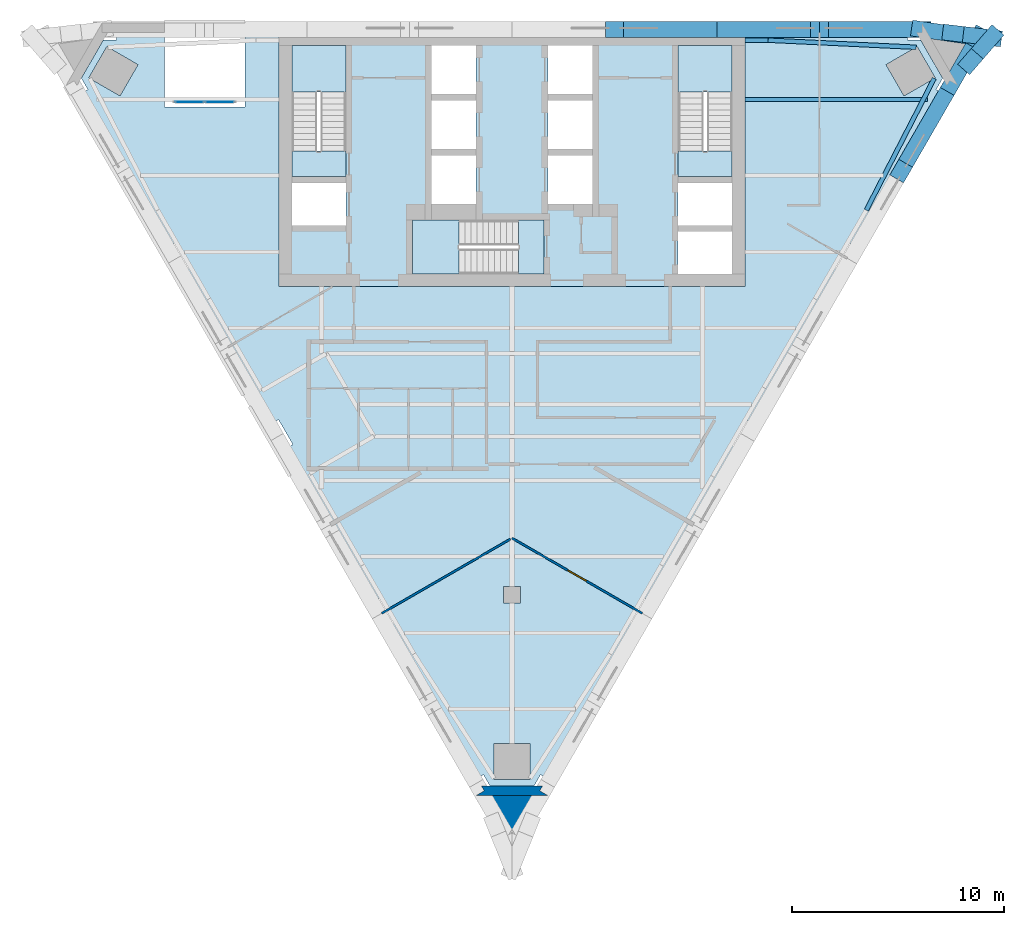
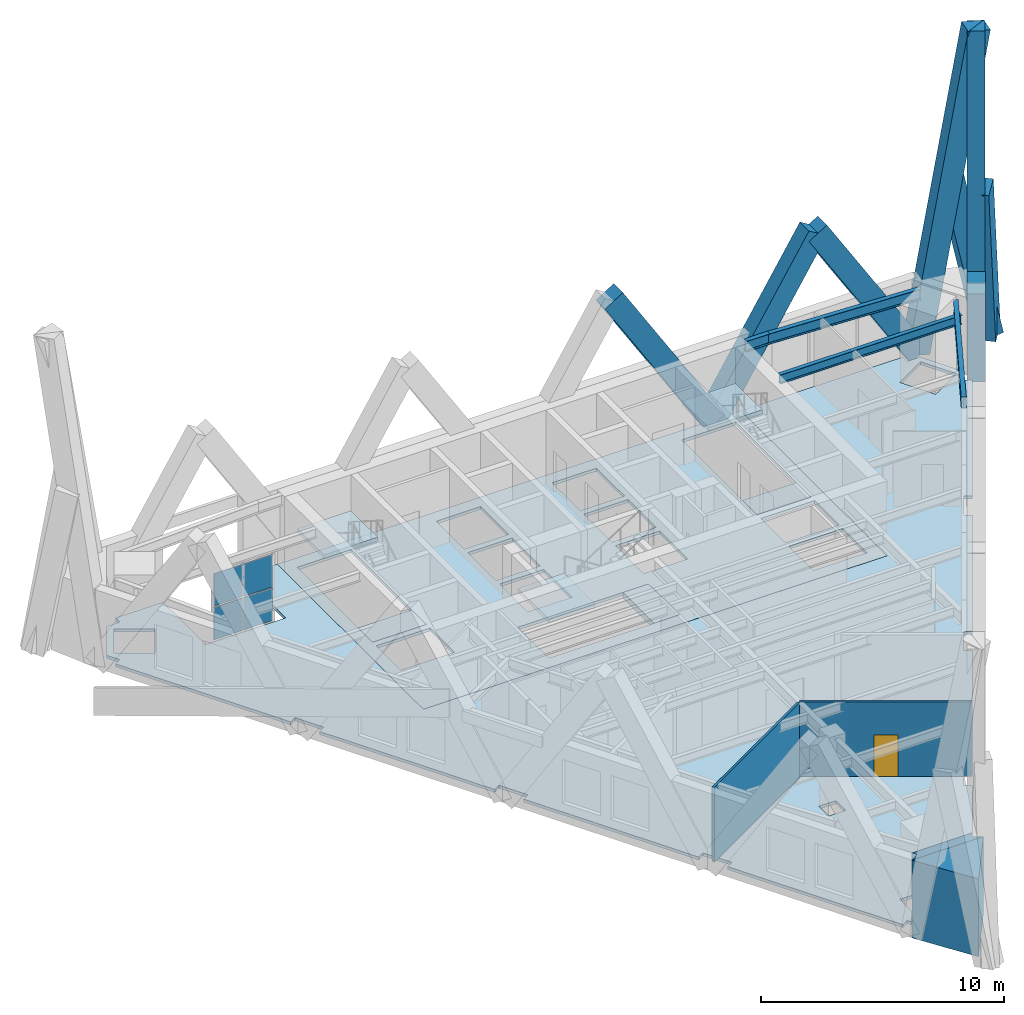
# One storey, part 3 of 9: 8 members, 8 slabs, 4 beams, 4 plates, 4 walls, 1 door, 1 opening, 4 elements without a shape of their own.
"""IFC4 building model written with IfcOpenShell, lengths in metres."""

from ifc_helpers import new_model, si_unit, direction, frame, frame_2d, origin, origin_2d, place, context, subcontext, project, spatial, polyline, rectangle, i_section, outline, extrude, material, layer, layer_set, material_profile, profile_set, type_object, element, fill, aggregate, save


model = new_model("IFC4")

# Units and contexts
model_context = context("Model", 3, precision=1e-05, world=origin(), true_north=direction((0.0, 1.0)))
body_context = subcontext(model_context, "Body", "Model", "MODEL_VIEW")
ifc_project = project(units=[si_unit("LENGTHUNIT", "METRE"), si_unit("AREAUNIT", "SQUARE_METRE"), si_unit("VOLUMEUNIT", "CUBIC_METRE"), si_unit("PLANEANGLEUNIT", "RADIAN"), si_unit("MASSUNIT", "GRAM", prefix="KILO")], contexts=[model_context])

# Site, building, storey
site_placement = place(None, origin())
site = spatial("IfcSite", under=ifc_project, at=site_placement, CompositionType="ELEMENT")
building_placement = place(site_placement, origin())
building = spatial("IfcBuilding", under=site, at=building_placement, Name="Aloe Facet Convention Tower", CompositionType="ELEMENT")
storey_placement = place(building_placement, frame((0.0, 0.0, 195.800048828125)))
storey = spatial("IfcBuildingStorey", under=building, at=storey_placement, Name="L49", CompositionType="ELEMENT", Elevation=195.800048828125)

# Beams
ifc_material_1 = material(Name="Steel S355", Category="steel")
ifc_material_profile_1 = material_profile(ifc_material_1, i_section(OverallWidth=0.19140625, OverallDepth=0.4599609375, WebThickness=0.010009765625, FlangeThickness=0.01611328125, FilletRadius=0.01025390625, at=origin_2d()), Name="UB 457x191x82")
ifc_profile_set_1 = profile_set([ifc_material_profile_1], Name="Steel S355")
beam_type_1 = type_object("IfcBeamType", Name="SF-B-UB457x191x82", PredefinedType="BEAM", material=ifc_profile_set_1)
beam_1_placement = place(storey_placement, frame((91.0, 131.39990234375, 3.52001953125), z_axis=(1.0, 0.0, 0.0), x_axis=(0.0, 1.0, 0.0)))
element("IfcBeam", 1, at=beam_1_placement, inside=storey, type_object=beam_type_1, Name="Floor beam FB-Z4E-048", PredefinedType="BEAM", context=body_context, shape_type="SweptSolid", body=[
    extrude(i_section(OverallWidth=0.19140625, OverallDepth=0.4599609375, WebThickness=0.010009765625, FlangeThickness=0.01611328125, FilletRadius=0.01025390625, at=origin_2d()), origin(), (0.0, 0.0, 1.0), 8.626220703125),
])
ifc_material_2 = material(Name="Steel S355", Category="steel")
ifc_material_profile_2 = material_profile(ifc_material_2, i_section(OverallWidth=0.209228515625, OverallDepth=0.533203125, WebThickness=0.010009765625, FlangeThickness=0.015625, FilletRadius=0.0126953125, at=origin_2d()), Name="UB 533x210x92")
ifc_profile_set_2 = profile_set([ifc_material_profile_2], Name="Steel S355")
beam_type_2 = type_object("IfcBeamType", Name="SF-B-UB533x210x92", PredefinedType="BEAM", material=ifc_profile_set_2)
beam_2_placement = place(storey_placement, frame((91.0, 134.1953125, 3.4833984375), z_axis=(1.0, 0.0, 0.0), x_axis=(0.0, 1.0, 0.0)))
element("IfcBeam", 2, at=beam_2_placement, inside=storey, type_object=beam_type_2, Name="Floor beam FB-Z4E-015", PredefinedType="BEAM", context=body_context, shape_type="SweptSolid", body=[
    extrude(i_section(OverallWidth=0.209228515625, OverallDepth=0.533203125, WebThickness=0.010009765625, FlangeThickness=0.015625, FilletRadius=0.0126953125, at=origin_2d()), origin(), (0.0, 0.0, 1.0), 1.102783203125),
])
for number, where, z_axis, x_axis, name in (
    (3, (92.102783203125, 134.1953125, 3.4833984375), (0.998862131036, -0.047691122669, 0.0), (0.047691122669, 0.998862131036, 0.0), "Floor beam FB-Z4E-017"),
    (4, (99.94287109375, 132.389404296875, 3.4833984375), (-0.458134533977, -0.888882865611, 0.0), (0.888882865611, -0.458134533977, 0.0), "Floor beam FB-Z4E-020"),
):
    element("IfcBeam", number, at=place(storey_placement, frame(where, z_axis=z_axis, x_axis=x_axis)), inside=storey, type_object=beam_type_2, Name=name, PredefinedType="BEAM", context=body_context, shape_type="SweptSolid", body=[
        extrude(i_section(OverallWidth=0.209228515625, OverallDepth=0.533203125, WebThickness=0.010009765625, FlangeThickness=0.015625, FilletRadius=0.0126953125, at=origin_2d()), origin(), (0.0, 0.0, 1.0), 6.998046875),
    ])

# Members
ifc_material_3 = material(Name="Concrete C60/75, bronze oxide finish", Category="concrete")
ifc_material_profile_3 = material_profile(ifc_material_3, rectangle(XDim=0.75, YDim=1.0, at=origin_2d()), Name="STW-LM")
ifc_profile_set_3 = profile_set([ifc_material_profile_3], Name="Concrete C60/75, bronze oxide finish")
member_type = type_object("IfcMemberType", Name="STW-LM", PredefinedType="BRACE", material=ifc_profile_set_3)
for number, where, z_axis, x_axis, name in (
    (5, (99.364501953125, 134.699951171875, 0.0), (-0.52733571948, 0.0, 0.849657012541), (0.0, -1.0, 0.0), "Lattice member LM-Z4-F1-R2-01"),
    (6, (89.682373046875, 134.699951171875, 0.0), (0.52733571948, 0.0, 0.849657012541), (0.0, 1.0, 0.0), "Lattice member LM-Z4-F1-R2-02"),
):
    element("IfcMember", number, at=place(storey_placement, frame(where, z_axis=z_axis, x_axis=x_axis)), inside=storey, type_object=member_type, Name=name, PredefinedType="BRACE", context=body_context, shape_type="SweptSolid", body=[
        extrude(rectangle(XDim=0.75, YDim=1.0, at=origin_2d()), origin(), (0.0, 0.0, 1.0), 9.18017578125),
    ])
member_1_placement = place(storey_placement, frame((89.682373046875, 134.699951171875, 0.0), z_axis=(-0.527354917858, 0.0, 0.849645096856), x_axis=(0.0, -1.0, 0.0)))
element("IfcMember", 7, at=member_1_placement, inside=storey, type_object=member_type, Name="Lattice member LM-Z4-F1-R2-03", PredefinedType="BRACE", context=body_context, shape_type="SweptSolid", body=[
    extrude(rectangle(XDim=0.75, YDim=1.0, at=origin_2d()), origin(), (0.0, 0.0, 1.0), 9.180419921875),
])
member_2_placement = place(storey_placement, frame((100.8046875, 132.20556640625, 0.0), z_axis=(-0.263653622482, -0.456699985767, 0.84965398272), x_axis=(0.866043662766, -0.499968373182, 0.0)))
element("IfcMember", 8, at=member_2_placement, inside=storey, type_object=member_type, Name="Lattice member LM-Z4-F3-R2-08", PredefinedType="BRACE", context=body_context, shape_type="SweptSolid", body=[
    extrude(rectangle(XDim=0.75, YDim=1.0, at=origin_2d()), origin(), (0.0, 0.0, 1.0), 9.18017578125),
])
member_3_placement = place(storey_placement, frame((100.8046875, 132.20556640625, 0.0), z_axis=(0.076423618638, 0.133408854308, 0.988110068822), x_axis=(-0.867710338002, 0.497070185511, 0.0)))
element("IfcMember", 9, at=member_3_placement, inside=storey, type_object=member_type, Name="Lattice member LM-Z4-F6-R2-01", PredefinedType="BRACE", context=body_context, shape_type="SweptSolid", body=[
    extrude(rectangle(XDim=0.75, YDim=1.0, at=origin_2d()), origin(), (0.0, 0.0, 1.0), 15.78759765625),
])
member_4_placement = place(storey_placement, frame((102.634033203125, 134.31298828125, 0.0), z_axis=(-0.115440901352, -0.132997358551, 0.98437040839), x_axis=(0.755192780175, -0.655502757257, 0.0)))
element("IfcMember", 10, at=member_4_placement, inside=storey, type_object=member_type, Name="Lattice member LM-Z4-F6-R2-02", PredefinedType="BRACE", context=body_context, shape_type="SweptSolid", body=[
    extrude(rectangle(XDim=0.75, YDim=1.0, at=origin_2d()), origin(), (0.0, 0.0, 1.0), 8.482666015625),
])
member_5_placement = place(storey_placement, frame((99.364501953125, 134.699951171875, 0.0), z_axis=(0.167222898352, -0.024525819424, 0.985614014941), x_axis=(0.145112996173, 0.989415089, 0.0)))
element("IfcMember", 11, at=member_5_placement, inside=storey, type_object=member_type, Name="Lattice member LM-Z4-F6-R2-03", PredefinedType="BRACE", context=body_context, shape_type="SweptSolid", body=[
    extrude(rectangle(XDim=0.75, YDim=1.0, at=origin_2d()), origin(), (0.0, 0.0, 1.0), 15.82763671875),
])
member_6_placement = place(storey_placement, frame((102.634033203125, 134.31298828125, 0.0), z_axis=(-0.205075422994, 0.024284882274, 0.978444845342), x_axis=(-0.117597599607, -0.993061329711, 0.0)))
element("IfcMember", 12, at=member_6_placement, inside=storey, type_object=member_type, Name="Lattice member LM-Z4-F6-R2-04", PredefinedType="BRACE", context=body_context, shape_type="SweptSolid", body=[
    extrude(rectangle(XDim=0.75, YDim=1.0, at=origin_2d()), origin(), (0.0, 0.0, 1.0), 8.796630859375),
])

# Slabs
ifc_material_4 = material(Name="Concrete C50/60", Category="concrete")
ifc_layer_1 = layer(ifc_material_4, 0.14990234375)
ifc_layer_set_1 = layer_set([ifc_layer_1], Name="CR-S-FLOOR150-C5060")
slab_type_1 = type_object("IfcSlabType", Name="CR-S-FLOOR150-C5060", PredefinedType="FLOOR", material=ifc_layer_set_1)
slab_1_placement = place(storey_placement, frame((0.0, 0.0, -0.150146484375)))
element("IfcSlab", 13, at=slab_1_placement, inside=storey, type_object=slab_type_1, Name="Core floor L49", PredefinedType="FLOOR", context=body_context, shape_type="SweptSolid", body=[
    extrude(outline(polyline([(71.85009765625, 134.550048828125), (72.75, 134.550048828125), (75.60009765625, 134.550048828125), (76.5, 134.550048828125), (78.0, 134.550048828125), (78.89990234375, 134.550048828125), (81.10009765625, 134.550048828125), (82.0, 134.550048828125), (83.5, 134.550048828125), (84.39990234375, 134.550048828125), (87.25, 134.550048828125), (88.14990234375, 134.550048828125), (91.0, 134.550048828125), (91.0, 128.050048828125), (91.0, 127.14990234375), (91.0, 125.75), (91.0, 124.85009765625), (91.0, 122.550048828125), (88.14990234375, 122.550048828125), (87.25, 122.550048828125), (85.300048828125, 122.550048828125), (84.39990234375, 122.550048828125), (82.10009765625, 122.550048828125), (81.199951171875, 122.550048828125), (75.60009765625, 122.550048828125), (74.699951171875, 122.550048828125), (72.75, 122.550048828125), (71.85009765625, 122.550048828125), (69.0, 122.550048828125), (69.0, 124.85009765625), (69.0, 125.75), (69.0, 127.14990234375), (69.0, 128.050048828125), (69.0, 134.550048828125), (71.85009765625, 134.550048828125)]), holes=[polyline([(80.298828125, 123.14990234375), (81.5, 123.14990234375), (81.5, 125.699951171875), (80.298828125, 125.699951171875), (75.300048828125, 125.699951171875), (75.300048828125, 123.14990234375), (80.298828125, 123.14990234375)]), polyline([(69.60009765625, 125.449951171875), (72.14990234375, 125.449951171875), (72.14990234375, 127.449951171875), (69.60009765625, 127.449951171875), (69.60009765625, 125.449951171875)]), polyline([(76.199951171875, 126.449951171875), (78.300048828125, 126.449951171875), (78.300048828125, 128.75), (76.199951171875, 128.75), (76.199951171875, 126.449951171875)]), polyline([(78.300048828125, 129.050048828125), (78.300048828125, 131.35009765625), (76.199951171875, 131.35009765625), (76.199951171875, 129.050048828125), (78.300048828125, 129.050048828125)]), polyline([(69.60009765625, 133.949951171875), (69.60009765625, 128.951171875), (69.60009765625, 127.75), (72.14990234375, 127.75), (72.14990234375, 128.951171875), (72.14990234375, 133.949951171875), (69.60009765625, 133.949951171875)]), polyline([(76.199951171875, 131.64990234375), (78.300048828125, 131.64990234375), (78.300048828125, 133.949951171875), (76.199951171875, 133.949951171875), (76.199951171875, 131.64990234375)]), polyline([(90.39990234375, 123.14990234375), (90.39990234375, 125.14990234375), (87.85009765625, 125.14990234375), (87.85009765625, 123.14990234375), (90.39990234375, 123.14990234375)]), polyline([(87.85009765625, 125.449951171875), (90.39990234375, 125.449951171875), (90.39990234375, 127.449951171875), (87.85009765625, 127.449951171875), (87.85009765625, 125.449951171875)]), polyline([(81.699951171875, 126.449951171875), (83.800048828125, 126.449951171875), (83.800048828125, 128.75), (81.699951171875, 128.75), (81.699951171875, 126.449951171875)]), polyline([(83.800048828125, 129.050048828125), (83.800048828125, 131.35009765625), (81.699951171875, 131.35009765625), (81.699951171875, 129.050048828125), (83.800048828125, 129.050048828125)]), polyline([(87.85009765625, 133.949951171875), (87.85009765625, 128.951171875), (87.85009765625, 127.75), (90.39990234375, 127.75), (90.39990234375, 128.951171875), (90.39990234375, 133.949951171875), (87.85009765625, 133.949951171875)]), polyline([(81.699951171875, 131.64990234375), (83.800048828125, 131.64990234375), (83.800048828125, 133.949951171875), (81.699951171875, 133.949951171875), (81.699951171875, 131.64990234375)])]), origin(), (0.0, 0.0, 1.0), 0.150146484375),
])
ifc_material_5 = material(Name="Concrete C50/60", Category="concrete")
ifc_layer_2 = layer(ifc_material_5, 0.300048828125)
ifc_layer_set_2 = layer_set([ifc_layer_2], Name="CR-S-FLOOR300-C5060")
slab_type_2 = type_object("IfcSlabType", Name="CR-S-FLOOR300-C5060", PredefinedType="FLOOR", material=ifc_layer_set_2)
slab_2_placement = place(storey_placement, frame((0.0, 0.0, -0.300048828125)))
element("IfcSlab", 14, at=slab_2_placement, inside=storey, type_object=slab_type_2, Name="Stair landing floor L49", PredefinedType="FLOOR", context=body_context, shape_type="SweptSolid", body=[
    extrude(outline(polyline([(72.14990234375, 127.75), (72.14990234375, 128.951171875), (69.60009765625, 128.951171875), (69.60009765625, 127.75), (72.14990234375, 127.75)])), origin(), (0.0, 0.0, 1.0), 0.300048828125),
])
slab_3_placement = place(storey_placement, frame((0.0, 0.0, -0.300048828125)))
element("IfcSlab", 15, at=slab_3_placement, inside=storey, type_object=slab_type_2, Name="Stair landing floor L49", PredefinedType="FLOOR", context=body_context, shape_type="SweptSolid", body=[
    extrude(outline(polyline([(90.39990234375, 127.75), (90.39990234375, 128.951171875), (87.85009765625, 128.951171875), (87.85009765625, 127.75), (90.39990234375, 127.75)])), origin(), (0.0, 0.0, 1.0), 0.300048828125),
])
slab_4_placement = place(storey_placement, frame((0.0, 0.0, -0.300048828125)))
element("IfcSlab", 16, at=slab_4_placement, inside=storey, type_object=slab_type_2, Name="Stair landing floor L49", PredefinedType="FLOOR", context=body_context, shape_type="SweptSolid", body=[
    extrude(outline(polyline([(81.5, 125.699951171875), (80.298828125, 125.699951171875), (80.298828125, 123.14990234375), (81.5, 123.14990234375), (81.5, 125.699951171875)])), origin(), (0.0, 0.0, 1.0), 0.300048828125),
])

# Stair, slab
ifc_material_6 = material(Name="Concrete C50/60", Category="concrete")
stair_type = type_object("IfcStairType", Name="CR-ST-22R", PredefinedType="HALF_TURN_STAIR", material=ifc_material_6)
stair_1_placement = place(storey_placement, origin())
stair_1 = element("IfcStair", 17, at=stair_1_placement, inside=storey, type_object=stair_type, Name="L49 Protected exit stair ST1", PredefinedType="HALF_TURN_STAIR")
ifc_material_7 = material(Name="Concrete C50/60", Category="concrete")
ifc_layer_3 = layer(ifc_material_7, 0.199951171875)
ifc_layer_set_3 = layer_set([ifc_layer_3], Name="CR-SL-LANDING")
slab_type_3 = type_object("IfcSlabType", Name="CR-SL-LANDING", PredefinedType="LANDING", material=ifc_layer_set_3)
slab_5_placement = place(storey_placement, frame((0.0, 0.0, 1.75)))
slab_5 = element("IfcSlab", 18, at=slab_5_placement, type_object=slab_type_3, Name="ST1 landing 1", PredefinedType="LANDING", context=body_context, shape_type="SweptSolid", body=[
    extrude(outline(polyline([(72.14990234375, 131.75), (72.14990234375, 133.949951171875), (69.60009765625, 133.949951171875), (69.60009765625, 131.75), (72.14990234375, 131.75)])), origin(), (0.0, 0.0, 1.0), 0.199951171875),
])
aggregate(stair_1, [slab_5])

stair_2_placement = place(storey_placement, origin())
stair_2 = element("IfcStair", 19, at=stair_2_placement, inside=storey, type_object=stair_type, Name="L49 Protected exit stair ST2", PredefinedType="HALF_TURN_STAIR")
slab_6_placement = place(storey_placement, frame((0.0, 0.0, 1.75)))
slab_6 = element("IfcSlab", 20, at=slab_6_placement, type_object=slab_type_3, Name="ST2 landing 1", PredefinedType="LANDING", context=body_context, shape_type="SweptSolid", body=[
    extrude(outline(polyline([(90.39990234375, 131.75), (90.39990234375, 133.949951171875), (87.85009765625, 133.949951171875), (87.85009765625, 131.75), (90.39990234375, 131.75)])), origin(), (0.0, 0.0, 1.0), 0.199951171875),
])
aggregate(stair_2, [slab_6])

stair_3_placement = place(storey_placement, origin())
stair_3 = element("IfcStair", 21, at=stair_3_placement, inside=storey, type_object=stair_type, Name="L49 Protected exit stair ST3", PredefinedType="HALF_TURN_STAIR")
slab_7_placement = place(storey_placement, frame((0.0, 0.0, 1.75)))
slab_7 = element("IfcSlab", 22, at=slab_7_placement, type_object=slab_type_3, Name="ST3 landing 1", PredefinedType="LANDING", context=body_context, shape_type="SweptSolid", body=[
    extrude(outline(polyline([(77.5, 125.699951171875), (75.300048828125, 125.699951171875), (75.300048828125, 123.14990234375), (77.5, 123.14990234375), (77.5, 125.699951171875)])), origin(), (0.0, 0.0, 1.0), 0.199951171875),
])
aggregate(stair_3, [slab_7])

# Curtain wall, plates
ifc_material_8 = material(Name="Aluminium, anodised", Category="aluminium")
curtain_wall_type = type_object("IfcCurtainWallType", Name="EV-CW-TERRACE", PredefinedType="USERDEFINED", material=ifc_material_8)
curtain_wall_placement = place(storey_placement, origin())
curtain_wall = element("IfcCurtainWall", 23, at=curtain_wall_placement, inside=storey, type_object=curtain_wall_type, Name="CW-T10", ObjectType="TERRACE BACK GLAZING", PredefinedType="USERDEFINED")
ifc_material_9 = material(Name="Clear double glazing", Category="glass")
ifc_layer_4 = layer(ifc_material_9, 0.028076171875)
ifc_layer_set_4 = layer_set([ifc_layer_4], Name="EV-PANEL-TERRACE")
plate_type = type_object("IfcPlateType", Name="EV-PANEL-TERRACE", PredefinedType="CURTAIN_PANEL", material=ifc_layer_set_4)
plate_1_placement = place(storey_placement, frame((66.1865234375, 131.27490234375, -0.090087890625), z_axis=(0.0, 0.0, 1.0), x_axis=(-1.0, 0.0, 0.0)))
plate_1 = element("IfcPlate", 24, at=plate_1_placement, type_object=plate_type, Name="CW-T10 panel 1.1", PredefinedType="CURTAIN_PANEL", context=body_context, shape_type="SweptSolid", body=[
    extrude(rectangle(XDim=1.360107421875, YDim=0.028076171875, at=origin_2d()), origin(), (0.0, 0.0, 1.0), 1.6298828125),
])
plate_2_placement = place(storey_placement, frame((66.1865234375, 131.27490234375, 1.60009765625), z_axis=(0.0, 0.0, 1.0), x_axis=(-1.0, 0.0, 0.0)))
plate_2 = element("IfcPlate", 25, at=plate_2_placement, type_object=plate_type, Name="CW-T10 panel 1.2", PredefinedType="CURTAIN_PANEL", context=body_context, shape_type="SweptSolid", body=[
    extrude(rectangle(XDim=1.360107421875, YDim=0.028076171875, at=origin_2d()), origin(), (0.0, 0.0, 1.0), 1.6298828125),
])
plate_3_placement = place(storey_placement, frame((64.7666015625, 131.27490234375, -0.090087890625), z_axis=(0.0, 0.0, 1.0), x_axis=(-1.0, 0.0, 0.0)))
plate_3 = element("IfcPlate", 26, at=plate_3_placement, type_object=plate_type, Name="CW-T10 panel 2.1", PredefinedType="CURTAIN_PANEL", context=body_context, shape_type="SweptSolid", body=[
    extrude(rectangle(XDim=1.360107421875, YDim=0.028076171875, at=origin_2d()), origin(), (0.0, 0.0, 1.0), 1.6298828125),
])
plate_4_placement = place(storey_placement, frame((64.7666015625, 131.27490234375, 1.60009765625), z_axis=(0.0, 0.0, 1.0), x_axis=(-1.0, 0.0, 0.0)))
plate_4 = element("IfcPlate", 27, at=plate_4_placement, type_object=plate_type, Name="CW-T10 panel 2.2", PredefinedType="CURTAIN_PANEL", context=body_context, shape_type="SweptSolid", body=[
    extrude(rectangle(XDim=1.360107421875, YDim=0.028076171875, at=origin_2d()), origin(), (0.0, 0.0, 1.0), 1.6298828125),
])
aggregate(curtain_wall, [plate_1, plate_2, plate_3, plate_4])

# Slab
ifc_material_10 = material(Name="Concrete C35/45", Category="concrete")
ifc_layer_5 = layer(ifc_material_10, 0.14990234375)
ifc_layer_set_5 = layer_set([ifc_layer_5], Name="SF-FS-150")
slab_type_4 = type_object("IfcSlabType", Name="SF-FS-150", PredefinedType="FLOOR", material=ifc_layer_set_5)
slab_8_placement = place(storey_placement, frame((0.0, 0.0, -0.150146484375)))
element("IfcSlab", 28, at=slab_8_placement, inside=storey, type_object=slab_type_4, Name="Floor slab L49-1", PredefinedType="FLOOR", context=body_context, shape_type="SweptSolid", body=[
    extrude(outline(polyline([(100.343017578125, 132.405517578125), (100.07763671875, 131.94580078125), (100.031005859375, 131.865234375), (100.333984375, 131.690185546875), (96.174560546875, 124.485595703125), (95.871337890625, 124.66064453125), (95.726806640625, 124.41015625), (95.530517578125, 124.0703125), (95.409912109375, 123.861083984375), (95.33447265625, 123.730712890625), (95.236328125, 123.560791015625), (95.18994140625, 123.47998046875), (95.492919921875, 123.30517578125), (91.33349609375, 116.1005859375), (91.0302734375, 116.275390625), (90.983642578125, 116.19482421875), (90.689453125, 115.685302734375), (90.568603515625, 115.47607421875), (90.5458984375, 115.436767578125), (90.395263671875, 115.175537109375), (90.3486328125, 115.094970703125), (90.65185546875, 114.919921875), (86.4921875, 107.71533203125), (86.189208984375, 107.890380859375), (85.98095703125, 107.52978515625), (85.848388671875, 107.300048828125), (85.740478515625, 107.11328125), (85.598388671875, 106.867431640625), (85.55419921875, 106.79052734375), (85.507568359375, 106.7099609375), (85.810791015625, 106.534912109375), (81.651123046875, 99.330322265625), (81.347900390625, 99.50537109375), (81.035888671875, 98.965087890625), (78.964111328125, 98.965087890625), (78.652099609375, 99.50537109375), (78.348876953125, 99.330322265625), (74.189208984375, 106.534912109375), (74.492431640625, 106.7099609375), (74.44580078125, 106.79052734375), (74.2724609375, 107.0908203125), (74.267822265625, 107.098876953125), (74.151611328125, 107.300048828125), (73.95556640625, 107.639892578125), (73.857421875, 107.809814453125), (73.810791015625, 107.890380859375), (73.5078125, 107.71533203125), (69.34814453125, 114.919921875), (69.6513671875, 115.094970703125), (69.604736328125, 115.175537109375), (69.310546875, 115.685302734375), (69.016357421875, 116.19482421875), (68.9697265625, 116.275390625), (68.66650390625, 116.1005859375), (64.507080078125, 123.30517578125), (64.81005859375, 123.47998046875), (64.590087890625, 123.861083984375), (64.530517578125, 123.96435546875), (64.358154296875, 124.262939453125), (64.348388671875, 124.27978515625), (64.175048828125, 124.580078125), (64.128662109375, 124.66064453125), (63.825439453125, 124.485595703125), (59.666015625, 131.690185546875), (59.968994140625, 131.865234375), (59.656982421875, 132.405517578125), (60.693115234375, 134.199951171875), (61.223876953125, 134.199951171875), (61.31689453125, 134.199951171875), (61.31689453125, 134.550048828125), (63.576416015625, 134.550048828125), (63.576416015625, 131.050048828125), (67.37646484375, 131.050048828125), (67.37646484375, 134.550048828125), (69.0, 134.550048828125), (69.0, 128.050048828125), (69.0, 127.14990234375), (69.0, 125.75), (69.0, 124.85009765625), (69.0, 122.550048828125), (71.85009765625, 122.550048828125), (72.75, 122.550048828125), (74.699951171875, 122.550048828125), (75.60009765625, 122.550048828125), (81.199951171875, 122.550048828125), (82.10009765625, 122.550048828125), (84.39990234375, 122.550048828125), (85.300048828125, 122.550048828125), (87.25, 122.550048828125), (88.14990234375, 122.550048828125), (91.0, 122.550048828125), (91.0, 124.85009765625), (91.0, 125.75), (91.0, 127.14990234375), (91.0, 128.050048828125), (91.0, 134.550048828125), (98.68310546875, 134.550048828125), (98.68310546875, 134.199951171875), (98.776123046875, 134.199951171875), (99.306884765625, 134.199951171875), (100.343017578125, 132.405517578125)]), holes=[polyline([(62.33203125, 133.038818359375), (60.85986328125, 133.888916015625), (60.010009765625, 132.41650390625), (61.482177734375, 131.566650390625), (62.33203125, 133.038818359375)]), polyline([(79.14990234375, 100.965087890625), (79.14990234375, 99.264892578125), (80.85009765625, 99.264892578125), (80.85009765625, 100.965087890625), (79.14990234375, 100.965087890625)]), polyline([(79.60009765625, 107.60009765625), (80.39990234375, 107.60009765625), (80.39990234375, 108.39990234375), (79.60009765625, 108.39990234375), (79.60009765625, 107.60009765625)]), polyline([(99.989990234375, 132.41650390625), (99.14013671875, 133.888916015625), (97.66796875, 133.038818359375), (98.517822265625, 131.566650390625), (99.989990234375, 132.41650390625)])]), origin(), (0.0, 0.0, 1.0), 0.150146484375),
])

# Walls
ifc_material_11 = material(Name="Precast concrete C40/50", Category="concrete")
ifc_layer_6 = layer(ifc_material_11, 0.449951171875)
ifc_layer_set_6 = layer_set([ifc_layer_6], Name="EV-WALL-PIER")
wall_type_1 = type_object("IfcWallType", Name="EV-WALL-PIER", PredefinedType="SOLIDWALL", material=ifc_layer_set_6)
wall_1_placement = place(storey_placement, frame((0.0, 0.0, -0.150146484375)))
element("IfcWall", 29, at=wall_1_placement, inside=storey, type_object=wall_type_1, Name="EP-L49-B", PredefinedType="SOLIDWALL", context=body_context, shape_type="SweptSolid", body=[
    extrude(outline(polyline([(78.300048828125, 98.514892578125), (78.689697265625, 98.739990234375), (78.559814453125, 98.965087890625), (81.440185546875, 98.965087890625), (81.310302734375, 98.739990234375), (81.699951171875, 98.514892578125), (78.300048828125, 98.514892578125)])), origin(), (0.0, 0.0, 1.0), 3.900146484375),
])
ifc_material_12 = material(Name="Precast concrete C40/50", Category="concrete")
ifc_layer_7 = layer(ifc_material_12, 3.947998046875)
ifc_layer_set_7 = layer_set([ifc_layer_7], Name="EV-WALL-SPINE")
wall_type_2 = type_object("IfcWallType", Name="EV-WALL-SPINE", PredefinedType="SOLIDWALL", material=ifc_layer_set_7)
wall_2_placement = place(storey_placement, frame((0.0, 0.0, -0.150146484375)))
element("IfcWall", 30, at=wall_2_placement, inside=storey, type_object=wall_type_2, Name="SP-S-L49", PredefinedType="SOLIDWALL", context=body_context, shape_type="SweptSolid", body=[
    extrude(outline(polyline([(78.300048828125, 98.514892578125), (80.0, 95.965087890625), (81.699951171875, 98.514892578125), (78.300048828125, 98.514892578125)])), origin(), (0.0, 0.0, 1.0), 3.900146484375),
])

# Wall, opening, door
ifc_material_13 = material(Name="Gypsum board partition on steel studs", Category="steel")
ifc_layer_8 = layer(ifc_material_13, 0.10009765625)
ifc_layer_set_8 = layer_set([ifc_layer_8], Name="IN-W-PART")
wall_type_3 = type_object("IfcWallType", Name="IN-W-PART", PredefinedType="PARTITIONING", material=ifc_layer_set_8)
wall_3_placement = place(storey_placement, frame((80.0, 110.6767578125, 0.0), z_axis=(0.0, 0.0, 1.0), x_axis=(0.866024174161, -0.500002129764, 0.0)))
wall_3 = element("IfcWall", 31, at=wall_3_placement, inside=storey, type_object=wall_type_3, Name="Partition L49-W001", PredefinedType="PARTITIONING", context=body_context, shape_type="SweptSolid", body=[
    extrude(rectangle(XDim=7.10302734375, YDim=0.10009765625, at=frame_2d((3.551513671875, 0.0))), origin(), (0.0, 0.0, 1.0), 3.75),
])
opening_placement = place(wall_3_placement, frame((3.051513671875, 0.0, 0.0)))
opening = element("IfcOpeningElement", 32, at=opening_placement, cuts=wall_3, Name="Opening L49-011", PredefinedType="OPENING", context=body_context, shape_type="SweptSolid", body=[
    extrude(rectangle(XDim=1.0, YDim=2.10009765625, at=frame_2d((0.5, 1.050048828125))), frame((0.0, 0.06005859375, 0.0), z_axis=(0.0, -1.0, 0.0), x_axis=(1.0, 0.0, 0.0)), (0.0, 0.0, 1.0), 0.1201171875),
])
ifc_material_14 = material(Name="Timber door", Category="wood")
door_type = type_object("IfcDoorType", Name="IN-OFF-D-WIDE", OperationType="SINGLE_SWING_LEFT", PredefinedType="DOOR", material=ifc_material_14)
door_placement = place(opening_placement, origin())
door = element("IfcDoor", 33, at=door_placement, inside=storey, type_object=door_type, Name="Door L49-011", OperationType="SINGLE_SWING_LEFT", OverallHeight=2.10009765625, OverallWidth=1.0, PredefinedType="DOOR", context=body_context, shape_type="SweptSolid", body=[
    extrude(rectangle(XDim=1.0, YDim=2.10009765625, at=frame_2d((0.5, 1.050048828125))), frame((0.0, 0.02490234375, 0.0), z_axis=(0.0, -1.0, 0.0), x_axis=(1.0, 0.0, 0.0)), (0.0, 0.0, 1.0), 0.050048828125),
])
fill(opening, door)

# Wall
wall_4_placement = place(storey_placement, frame((73.8486328125, 107.125244140625, 0.0), z_axis=(0.0, 0.0, 1.0), x_axis=(0.866035511351, 0.499982492772, 0.0)))
element("IfcWall", 34, at=wall_4_placement, inside=storey, type_object=wall_type_3, Name="Partition L49-W002", PredefinedType="PARTITIONING", context=body_context, shape_type="SweptSolid", body=[
    extrude(rectangle(XDim=7.016357421875, YDim=0.10009765625, at=frame_2d((3.50830078125, 0.0))), origin(), (0.0, 0.0, 1.0), 3.75),
])

save(model, "model.ifc")
